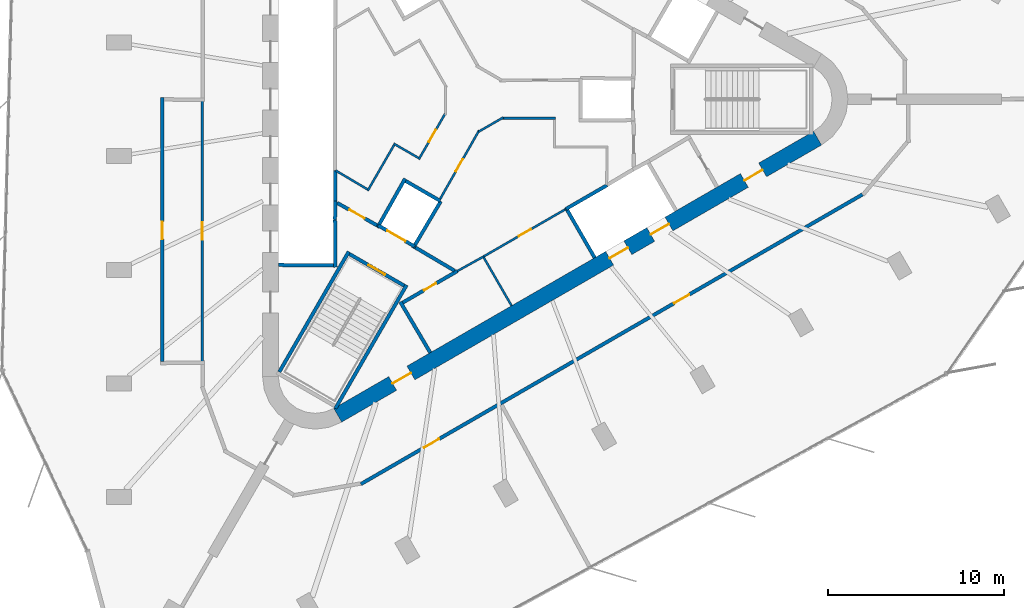
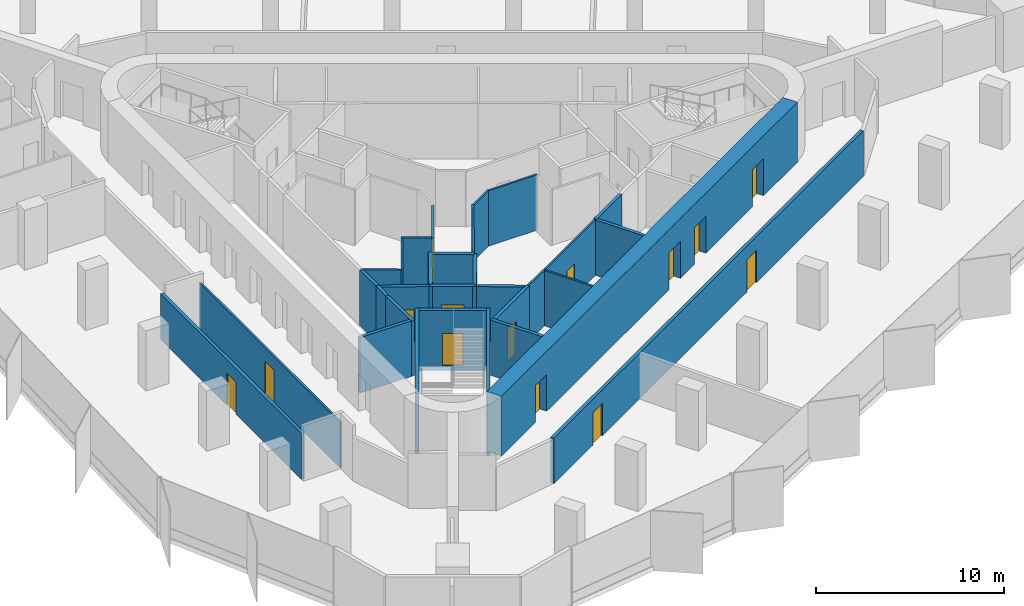
# One storey, part 8 of 13: 31 walls, 15 doors, 15 openings.
"""IFC4 building model written with IfcOpenShell, lengths in metres."""

from ifc_helpers import new_model, si_unit, direction, frame, frame_2d, origin, place, context, subcontext, project, spatial, rectangle, extrude, material, layer, layer_set, type_object, element, fill, save


model = new_model("IFC4")

# Units and contexts
model_context = context("Model", 3, precision=1e-05, world=origin(), true_north=direction((0.0, 1.0)))
body_context = subcontext(model_context, "Body", "Model", "MODEL_VIEW")
ifc_project = project(units=[si_unit("LENGTHUNIT", "METRE"), si_unit("AREAUNIT", "SQUARE_METRE"), si_unit("VOLUMEUNIT", "CUBIC_METRE"), si_unit("PLANEANGLEUNIT", "RADIAN"), si_unit("MASSUNIT", "GRAM", prefix="KILO")], contexts=[model_context])

# Site, building, storey
site_placement = place(None, origin())
site = spatial("IfcSite", under=ifc_project, at=site_placement, CompositionType="ELEMENT")
building_placement = place(site_placement, origin())
building = spatial("IfcBuilding", under=site, at=building_placement, Name="Tanit Gate Tower", CompositionType="ELEMENT")
storey_placement = place(building_placement, frame((0.0, 0.0, 329.89990234375)))
storey = spatial("IfcBuildingStorey", under=building, at=storey_placement, Name="L74", CompositionType="ELEMENT", Elevation=329.89990234375)

# Wall, openings, doors
ifc_material_1 = material(Name="Concrete C40/50", Category="concrete")
ifc_layer_1 = layer(ifc_material_1, 0.89990234375)
ifc_layer_set_1 = layer_set([ifc_layer_1], Name="CORE WALL 900 C40/50")
wall_type_1 = type_object("IfcWallType", Name="CORE WALL 900 C40/50", PredefinedType="SHEAR", material=ifc_layer_set_1)
wall_1_placement = place(storey_placement, frame((-7.824951171875, -17.969970703125, 0.0), z_axis=(0.0, 0.0, 1.0), x_axis=(0.866028369851, 0.499994862586, 0.0)))
wall_1 = element("IfcWall", 1, at=wall_1_placement, inside=storey, type_object=wall_type_1, Name="CORE WALL", PredefinedType="SHEAR", context=body_context, shape_type="SweptSolid", body=[
    extrude(rectangle(XDim=31.523193359375, YDim=0.89990234375, at=frame_2d((15.76171875, 0.0))), origin(), (0.0, 0.0, 1.0), 3.900146484375),
])
opening_1_placement = place(wall_1_placement, frame((17.861572265625, 0.0, 0.0)))
opening_1 = element("IfcOpeningElement", 2, at=opening_1_placement, cuts=wall_1, Name="Opening LDSV1-S20", PredefinedType="OPENING", context=body_context, shape_type="SweptSolid", body=[
    extrude(rectangle(XDim=1.199951171875, YDim=2.39990234375, at=frame_2d((0.60009765625, 1.199951171875))), frame((0.0, 0.4599609375, 0.0), z_axis=(0.0, -1.0, 0.0), x_axis=(1.0, 0.0, 0.0)), (0.0, 0.0, 1.0), 0.919921875),
])
opening_2_placement = place(wall_1_placement, frame((20.561767578125, 0.0, 0.0)))
opening_2 = element("IfcOpeningElement", 3, at=opening_2_placement, cuts=wall_1, Name="Opening LDSV2-S20", PredefinedType="OPENING", context=body_context, shape_type="SweptSolid", body=[
    extrude(rectangle(XDim=1.199951171875, YDim=2.39990234375, at=frame_2d((0.60009765625, 1.199951171875))), frame((0.0, 0.4599609375, 0.0), z_axis=(0.0, -1.0, 0.0), x_axis=(1.0, 0.0, 0.0)), (0.0, 0.0, 1.0), 0.919921875),
])
opening_3_placement = place(wall_1_placement, frame((26.711669921875, 0.0, 0.0)))
opening_3 = element("IfcOpeningElement", 4, at=opening_3_placement, cuts=wall_1, Name="Opening F12-S20-S1", PredefinedType="OPENING", context=body_context, shape_type="SweptSolid", body=[
    extrude(rectangle(XDim=1.199951171875, YDim=2.39990234375, at=frame_2d((0.60009765625, 1.199951171875))), frame((0.0, 0.4599609375, 0.0), z_axis=(0.0, -1.0, 0.0), x_axis=(1.0, 0.0, 0.0)), (0.0, 0.0, 1.0), 0.919921875),
])
opening_4_placement = place(wall_1_placement, frame((3.611572265625, 0.0, 0.0)))
opening_4 = element("IfcOpeningElement", 5, at=opening_4_placement, cuts=wall_1, Name="Opening F12-S20-FL3", PredefinedType="OPENING", context=body_context, shape_type="SweptSolid", body=[
    extrude(rectangle(XDim=1.199951171875, YDim=2.39990234375, at=frame_2d((0.60009765625, 1.199951171875))), frame((0.0, 0.4599609375, 0.0), z_axis=(0.0, -1.0, 0.0), x_axis=(1.0, 0.0, 0.0)), (0.0, 0.0, 1.0), 0.919921875),
])
ifc_material_2 = material(Name="Fire-rated steel door leaf", Category="steel")
door_type_1 = type_object("IfcDoorType", Name="INT-DOOR-FIRE-LOBBY-1200", OperationType="NOTDEFINED", PredefinedType="USERDEFINED", material=ifc_material_2)
door_1_placement = place(opening_3_placement, origin())
door_1 = element("IfcDoor", 6, at=door_1_placement, inside=storey, type_object=door_type_1, Name="Door F12-S20-S1", ObjectType="FIRE DOOR", OperationType="SINGLE_SWING_LEFT", OverallHeight=2.39990234375, OverallWidth=1.199951171875, PredefinedType="USERDEFINED", context=body_context, shape_type="SweptSolid", body=[
    extrude(rectangle(XDim=1.199951171875, YDim=2.39990234375, at=frame_2d((0.60009765625, 1.199951171875))), frame((0.0, 0.02490234375, 0.0), z_axis=(0.0, -1.0, 0.0), x_axis=(1.0, 0.0, 0.0)), (0.0, 0.0, 1.0), 0.050048828125),
])
fill(opening_3, door_1)
door_2_placement = place(opening_4_placement, origin())
door_2 = element("IfcDoor", 7, at=door_2_placement, inside=storey, type_object=door_type_1, Name="Door F12-S20-FL3", ObjectType="FIRE DOOR", OperationType="SINGLE_SWING_LEFT", OverallHeight=2.39990234375, OverallWidth=1.199951171875, PredefinedType="USERDEFINED", context=body_context, shape_type="SweptSolid", body=[
    extrude(rectangle(XDim=1.199951171875, YDim=2.39990234375, at=frame_2d((0.60009765625, 1.199951171875))), frame((0.0, 0.02490234375, 0.0), z_axis=(0.0, -1.0, 0.0), x_axis=(1.0, 0.0, 0.0)), (0.0, 0.0, 1.0), 0.050048828125),
])
fill(opening_4, door_2)
ifc_material_3 = material(Name="Stainless steel sliding door leaf", Category="steel")
door_type_2 = type_object("IfcDoorType", Name="INT-DOOR-LANDING-1200", OperationType="NOTDEFINED", PredefinedType="USERDEFINED", material=ifc_material_3)
door_3_placement = place(opening_1_placement, origin())
door_3 = element("IfcDoor", 8, at=door_3_placement, inside=storey, type_object=door_type_2, Name="Door LDSV1-S20", ObjectType="LANDING DOOR", OperationType="SLIDING_TO_LEFT", OverallHeight=2.39990234375, OverallWidth=1.199951171875, PredefinedType="USERDEFINED", context=body_context, shape_type="SweptSolid", body=[
    extrude(rectangle(XDim=1.199951171875, YDim=2.39990234375, at=frame_2d((0.60009765625, 1.199951171875))), frame((0.0, 0.02490234375, 0.0), z_axis=(0.0, -1.0, 0.0), x_axis=(1.0, 0.0, 0.0)), (0.0, 0.0, 1.0), 0.050048828125),
])
fill(opening_1, door_3)
door_4_placement = place(opening_2_placement, origin())
door_4 = element("IfcDoor", 9, at=door_4_placement, inside=storey, type_object=door_type_2, Name="Door LDSV2-S20", ObjectType="LANDING DOOR", OperationType="SLIDING_TO_LEFT", OverallHeight=2.39990234375, OverallWidth=1.199951171875, PredefinedType="USERDEFINED", context=body_context, shape_type="SweptSolid", body=[
    extrude(rectangle(XDim=1.199951171875, YDim=2.39990234375, at=frame_2d((0.60009765625, 1.199951171875))), frame((0.0, 0.02490234375, 0.0), z_axis=(0.0, -1.0, 0.0), x_axis=(1.0, 0.0, 0.0)), (0.0, 0.0, 1.0), 0.050048828125),
])
fill(opening_2, door_4)

# Wall
ifc_material_4 = material(Name="Fire-rated gypsum board partition")
ifc_layer_2 = layer(ifc_material_4, 0.199951171875)
ifc_layer_set_2 = layer_set([ifc_layer_2], Name="INT-WALL-COMPARTMENT")
wall_type_2 = type_object("IfcWallType", Name="INT-WALL-COMPARTMENT", PredefinedType="PARTITIONING", material=ifc_layer_set_2)
wall_2_placement = place(storey_placement, frame((-4.259765625, -11.523681640625, 0.0), z_axis=(0.0, 0.0, 1.0), x_axis=(0.507997497166, -0.861358544901, 0.0)))
element("IfcWall", 10, at=wall_2_placement, inside=storey, type_object=wall_type_2, Name="Wall Compartment W053", PredefinedType="PARTITIONING", context=body_context, shape_type="SweptSolid", body=[
    extrude(rectangle(XDim=3.350341796875, YDim=0.199951171875, at=frame_2d((1.67529296875, 0.0))), origin(), (0.0, 0.0, 1.0), 3.60009765625),
])

# Wall, opening, door
wall_3_placement = place(storey_placement, frame((-1.02392578125, -9.77099609375, 0.0), z_axis=(0.0, 0.0, 1.0), x_axis=(-0.866029903013, -0.499992207027, 0.0)))
wall_3 = element("IfcWall", 11, at=wall_3_placement, inside=storey, type_object=wall_type_2, Name="Wall Compartment W054", PredefinedType="PARTITIONING", context=body_context, shape_type="SweptSolid", body=[
    extrude(rectangle(XDim=3.57763671875, YDim=0.199951171875, at=frame_2d((1.788818359375, 0.0))), origin(), (0.0, 0.0, 1.0), 3.60009765625),
])
opening_5_placement = place(wall_3_placement, frame((1.388916015625, 0.0, 0.0)))
opening_5 = element("IfcOpeningElement", 12, at=opening_5_placement, cuts=wall_3, Name="Opening R08-S20-15", PredefinedType="OPENING", context=body_context, shape_type="SweptSolid", body=[
    extrude(rectangle(XDim=0.800048828125, YDim=2.10009765625, at=frame_2d((0.39990234375, 1.050048828125))), frame((0.0, 0.10986328125, 0.0), z_axis=(0.0, -1.0, 0.0), x_axis=(1.0, 0.0, 0.0)), (0.0, 0.0, 1.0), 0.219970703125),
])
ifc_material_5 = material(Name="Timber door leaf", Category="wood")
door_type_3 = type_object("IfcDoorType", Name="INT-DOOR-RISER-800", OperationType="NOTDEFINED", PredefinedType="USERDEFINED", material=ifc_material_5)
door_5_placement = place(opening_5_placement, origin())
door_5 = element("IfcDoor", 13, at=door_5_placement, inside=storey, type_object=door_type_3, Name="Door R08-S20-15", ObjectType="FIRE DOOR", OperationType="SINGLE_SWING_RIGHT", OverallHeight=2.10009765625, OverallWidth=0.800048828125, PredefinedType="USERDEFINED", context=body_context, shape_type="SweptSolid", body=[
    extrude(rectangle(XDim=0.800048828125, YDim=2.10009765625, at=frame_2d((0.39990234375, 1.050048828125))), frame((0.0, 0.02490234375, 0.0), z_axis=(0.0, -1.0, 0.0), x_axis=(1.0, 0.0, 0.0)), (0.0, 0.0, 1.0), 0.050048828125),
])
fill(opening_5, door_5)

# Wall
wall_4_placement = place(storey_placement, frame((-3.400634765625, -8.43017578125, 0.0), z_axis=(0.0, 0.0, 1.0), x_axis=(0.860630814782, -0.509229418482, 0.0)))
element("IfcWall", 14, at=wall_4_placement, inside=storey, type_object=wall_type_2, Name="Wall Compartment W063", PredefinedType="PARTITIONING", context=body_context, shape_type="SweptSolid", body=[
    extrude(rectangle(XDim=2.581787109375, YDim=0.199951171875, at=frame_2d((1.291015625, 0.0))), origin(), (0.0, 0.0, 1.0), 3.60009765625),
])

# Wall, opening, door
wall_5_placement = place(storey_placement, frame((-7.849365234375, -5.893798828125, 0.0), z_axis=(0.0, 0.0, 1.0), x_axis=(0.871363259478, -0.490638431059, 0.0)))
wall_5 = element("IfcWall", 15, at=wall_5_placement, inside=storey, type_object=wall_type_2, Name="Wall Compartment W064", PredefinedType="PARTITIONING", context=body_context, shape_type="SweptSolid", body=[
    extrude(rectangle(XDim=2.5810546875, YDim=0.199951171875, at=frame_2d((1.29052734375, 0.0))), origin(), (0.0, 0.0, 1.0), 3.60009765625),
])
opening_6_placement = place(wall_5_placement, frame((0.79052734375, 0.0, 0.0)))
opening_6 = element("IfcOpeningElement", 16, at=opening_6_placement, cuts=wall_5, Name="Opening F10-S20-08", PredefinedType="OPENING", context=body_context, shape_type="SweptSolid", body=[
    extrude(rectangle(XDim=1.0, YDim=2.10009765625, at=frame_2d((0.5, 1.050048828125))), frame((0.0, 0.10986328125, 0.0), z_axis=(0.0, -1.0, 0.0), x_axis=(1.0, 0.0, 0.0)), (0.0, 0.0, 1.0), 0.219970703125),
])
ifc_material_6 = material(Name="Fire-rated steel door leaf", Category="steel")
door_type_4 = type_object("IfcDoorType", Name="INT-DOOR-FIRE-1000", OperationType="NOTDEFINED", PredefinedType="USERDEFINED", material=ifc_material_6)
door_6_placement = place(opening_6_placement, origin())
door_6 = element("IfcDoor", 17, at=door_6_placement, inside=storey, type_object=door_type_4, Name="Door F10-S20-08", ObjectType="FIRE DOOR", OperationType="SINGLE_SWING_LEFT", OverallHeight=2.10009765625, OverallWidth=1.0, PredefinedType="USERDEFINED", context=body_context, shape_type="SweptSolid", body=[
    extrude(rectangle(XDim=1.0, YDim=2.10009765625, at=frame_2d((0.5, 1.050048828125))), frame((0.0, 0.02490234375, 0.0), z_axis=(0.0, -1.0, 0.0), x_axis=(1.0, 0.0, 0.0)), (0.0, 0.0, 1.0), 0.050048828125),
])
fill(opening_6, door_6)

wall_6_placement = place(storey_placement, frame((-17.800048828125, 0.10009765625, 0.0), z_axis=(0.0, 0.0, 1.0), x_axis=(0.0, -1.0, 0.0)))
wall_6 = element("IfcWall", 18, at=wall_6_placement, inside=storey, type_object=wall_type_2, Name="Wall Compartment W085", PredefinedType="PARTITIONING", context=body_context, shape_type="SweptSolid", body=[
    extrude(rectangle(XDim=15.0, YDim=0.199951171875, at=frame_2d((7.5, 0.0))), origin(), (0.0, 0.0, 1.0), 2.97021484375),
])
opening_7_placement = place(wall_6_placement, frame((7.050048828125, 0.0, 0.0)))
opening_7 = element("IfcOpeningElement", 19, at=opening_7_placement, cuts=wall_6, Name="Opening F10-S20-23", PredefinedType="OPENING", context=body_context, shape_type="SweptSolid", body=[
    extrude(rectangle(XDim=1.0, YDim=2.10009765625, at=frame_2d((0.5, 1.050048828125))), frame((0.0, 0.10986328125, 0.0), z_axis=(0.0, -1.0, 0.0), x_axis=(1.0, 0.0, 0.0)), (0.0, 0.0, 1.0), 0.219970703125),
])
door_7_placement = place(opening_7_placement, origin())
door_7 = element("IfcDoor", 20, at=door_7_placement, inside=storey, type_object=door_type_4, Name="Door F10-S20-23", ObjectType="FIRE DOOR", OperationType="SINGLE_SWING_RIGHT", OverallHeight=2.10009765625, OverallWidth=1.0, PredefinedType="USERDEFINED", context=body_context, shape_type="SweptSolid", body=[
    extrude(rectangle(XDim=1.0, YDim=2.10009765625, at=frame_2d((0.5, 1.050048828125))), frame((0.0, 0.02490234375, 0.0), z_axis=(0.0, -1.0, 0.0), x_axis=(1.0, 0.0, 0.0)), (0.0, 0.0, 1.0), 0.050048828125),
])
fill(opening_7, door_7)

# Wall, openings, doors
wall_7_placement = place(storey_placement, frame((-6.505126953125, -21.884521484375, 0.0), z_axis=(0.0, 0.0, 1.0), x_axis=(0.86602457258, 0.500001439686, 0.0)))
wall_7 = element("IfcWall", 21, at=wall_7_placement, inside=storey, type_object=wall_type_2, Name="Wall Compartment W105", PredefinedType="PARTITIONING", context=body_context, shape_type="SweptSolid", body=[
    extrude(rectangle(XDim=32.95166015625, YDim=0.199951171875, at=frame_2d((16.475830078125, 0.0))), origin(), (0.0, 0.0, 1.0), 2.97021484375),
])
opening_8_placement = place(wall_7_placement, frame((20.569091796875, 0.0, 0.0)))
opening_8 = element("IfcOpeningElement", 22, at=opening_8_placement, cuts=wall_7, Name="Opening F10-S20-27", PredefinedType="OPENING", context=body_context, shape_type="SweptSolid", body=[
    extrude(rectangle(XDim=1.0, YDim=2.10009765625, at=frame_2d((0.5, 1.050048828125))), frame((0.0, 0.10986328125, 0.0), z_axis=(0.0, -1.0, 0.0), x_axis=(1.0, 0.0, 0.0)), (0.0, 0.0, 1.0), 0.219970703125),
])
opening_9_placement = place(wall_7_placement, frame((4.143310546875, 0.0, 0.0)))
opening_9 = element("IfcOpeningElement", 23, at=opening_9_placement, cuts=wall_7, Name="Opening F10-S20-28", PredefinedType="OPENING", context=body_context, shape_type="SweptSolid", body=[
    extrude(rectangle(XDim=1.0, YDim=2.10009765625, at=frame_2d((0.5, 1.050048828125))), frame((0.0, 0.10986328125, 0.0), z_axis=(0.0, -1.0, 0.0), x_axis=(1.0, 0.0, 0.0)), (0.0, 0.0, 1.0), 0.219970703125),
])
door_8_placement = place(opening_8_placement, origin())
door_8 = element("IfcDoor", 24, at=door_8_placement, inside=storey, type_object=door_type_4, Name="Door F10-S20-27", ObjectType="FIRE DOOR", OperationType="SINGLE_SWING_RIGHT", OverallHeight=2.10009765625, OverallWidth=1.0, PredefinedType="USERDEFINED", context=body_context, shape_type="SweptSolid", body=[
    extrude(rectangle(XDim=1.0, YDim=2.10009765625, at=frame_2d((0.5, 1.050048828125))), frame((0.0, 0.02490234375, 0.0), z_axis=(0.0, -1.0, 0.0), x_axis=(1.0, 0.0, 0.0)), (0.0, 0.0, 1.0), 0.050048828125),
])
fill(opening_8, door_8)
door_9_placement = place(opening_9_placement, origin())
door_9 = element("IfcDoor", 25, at=door_9_placement, inside=storey, type_object=door_type_4, Name="Door F10-S20-28", ObjectType="FIRE DOOR", OperationType="SINGLE_SWING_LEFT", OverallHeight=2.10009765625, OverallWidth=1.0, PredefinedType="USERDEFINED", context=body_context, shape_type="SweptSolid", body=[
    extrude(rectangle(XDim=1.0, YDim=2.10009765625, at=frame_2d((0.5, 1.050048828125))), frame((0.0, 0.02490234375, 0.0), z_axis=(0.0, -1.0, 0.0), x_axis=(1.0, 0.0, 0.0)), (0.0, 0.0, 1.0), 0.050048828125),
])
fill(opening_9, door_9)

# Walls
ifc_material_7 = material(Name="Gypsum board partition")
ifc_layer_3 = layer(ifc_material_7, 0.1201171875)
ifc_layer_set_3 = layer_set([ifc_layer_3], Name="INT-WALL-PARTITION")
wall_type_3 = type_object("IfcWallType", Name="INT-WALL-PARTITION", PredefinedType="PARTITIONING", material=ifc_layer_set_3)
wall_8_placement = place(storey_placement, frame((2.066650390625, -11.739501953125, 0.0), z_axis=(0.0, 0.0, 1.0), x_axis=(-0.499984717929, 0.866034226713, 0.0)))
element("IfcWall", 26, at=wall_8_placement, inside=storey, type_object=wall_type_3, Name="Wall Partition W052", PredefinedType="PARTITIONING", context=body_context, shape_type="SweptSolid", body=[
    extrude(rectangle(XDim=3.25, YDim=0.1201171875, at=frame_2d((1.625, 0.0))), origin(), (0.0, 0.0, 1.0), 3.60009765625),
])
wall_9_placement = place(storey_placement, frame((-1.0234375, -9.77197265625, 0.0), z_axis=(0.0, 0.0, 1.0), x_axis=(0.874290944206, 0.485402250592, 0.0)))
element("IfcWall", 27, at=wall_9_placement, inside=storey, type_object=wall_type_3, Name="Wall Partition W055", PredefinedType="PARTITIONING", context=body_context, shape_type="SweptSolid", body=[
    extrude(rectangle(XDim=1.72265625, YDim=0.1201171875, at=frame_2d((0.861328125, 0.0))), origin(), (0.0, 0.0, 1.0), 3.60009765625),
])

# Wall, opening, door
wall_10_placement = place(storey_placement, frame((0.482666015625, -8.935791015625, 0.0), z_axis=(0.0, 0.0, 1.0), x_axis=(0.866028230842, 0.499995103361, 0.0)))
wall_10 = element("IfcWall", 28, at=wall_10_placement, inside=storey, type_object=wall_type_3, Name="Wall Partition W056", PredefinedType="PARTITIONING", context=body_context, shape_type="SweptSolid", body=[
    extrude(rectangle(XDim=5.39990234375, YDim=0.1201171875, at=frame_2d((2.699951171875, 0.0))), origin(), (0.0, 0.0, 1.0), 3.60009765625),
])
opening_10_placement = place(wall_10_placement, frame((2.300048828125, 0.0, 0.0)))
opening_10 = element("IfcOpeningElement", 29, at=opening_10_placement, cuts=wall_10, Name="Opening R08-S20-16", PredefinedType="OPENING", context=body_context, shape_type="SweptSolid", body=[
    extrude(rectangle(XDim=0.800048828125, YDim=2.10009765625, at=frame_2d((0.39990234375, 1.050048828125))), frame((0.0, 0.070068359375, 0.0), z_axis=(0.0, -1.0, 0.0), x_axis=(1.0, 0.0, 0.0)), (0.0, 0.0, 1.0), 0.14013671875),
])
door_10_placement = place(opening_10_placement, origin())
door_10 = element("IfcDoor", 30, at=door_10_placement, inside=storey, type_object=door_type_3, Name="Door R08-S20-16", ObjectType="FIRE DOOR", OperationType="SINGLE_SWING_RIGHT", OverallHeight=2.10009765625, OverallWidth=0.800048828125, PredefinedType="USERDEFINED", context=body_context, shape_type="SweptSolid", body=[
    extrude(rectangle(XDim=0.800048828125, YDim=2.10009765625, at=frame_2d((0.39990234375, 1.050048828125))), frame((0.0, 0.02490234375, 0.0), z_axis=(0.0, -1.0, 0.0), x_axis=(1.0, 0.0, 0.0)), (0.0, 0.0, 1.0), 0.050048828125),
])
fill(opening_10, door_10)

wall_11_placement = place(storey_placement, frame((0.223876953125, -1.760986328125, 0.0), z_axis=(0.0, 0.0, 1.0), x_axis=(-0.494327216836, -0.869275907118, 0.0)))
wall_11 = element("IfcWall", 31, at=wall_11_placement, inside=storey, type_object=wall_type_3, Name="Wall Partition W068", PredefinedType="PARTITIONING", context=body_context, shape_type="SweptSolid", body=[
    extrude(rectangle(XDim=4.487060546875, YDim=0.1201171875, at=frame_2d((2.24365234375, 0.0))), origin(), (0.0, 0.0, 1.0), 3.60009765625),
])
opening_11_placement = place(wall_11_placement, frame((1.89453125, 0.0, 0.0)))
opening_11 = element("IfcOpeningElement", 32, at=opening_11_placement, cuts=wall_11, Name="Opening R08-S20-11", PredefinedType="OPENING", context=body_context, shape_type="SweptSolid", body=[
    extrude(rectangle(XDim=0.800048828125, YDim=2.10009765625, at=frame_2d((0.39990234375, 1.050048828125))), frame((0.0, 0.070068359375, 0.0), z_axis=(0.0, -1.0, 0.0), x_axis=(1.0, 0.0, 0.0)), (0.0, 0.0, 1.0), 0.14013671875),
])
door_11_placement = place(opening_11_placement, origin())
door_11 = element("IfcDoor", 33, at=door_11_placement, inside=storey, type_object=door_type_3, Name="Door R08-S20-11", ObjectType="FIRE DOOR", OperationType="SINGLE_SWING_LEFT", OverallHeight=2.10009765625, OverallWidth=0.800048828125, PredefinedType="USERDEFINED", context=body_context, shape_type="SweptSolid", body=[
    extrude(rectangle(XDim=0.800048828125, YDim=2.10009765625, at=frame_2d((0.39990234375, 1.050048828125))), frame((0.0, 0.02490234375, 0.0), z_axis=(0.0, -1.0, 0.0), x_axis=(1.0, 0.0, 0.0)), (0.0, 0.0, 1.0), 0.050048828125),
])
fill(opening_11, door_11)

# Walls
wall_12_placement = place(storey_placement, frame((1.60546875, -1.02294921875, 0.0), z_axis=(0.0, 0.0, 1.0), x_axis=(-0.866001581989, -0.50004125829, 0.0)))
element("IfcWall", 34, at=wall_12_placement, inside=storey, type_object=wall_type_3, Name="Wall Partition W069", PredefinedType="PARTITIONING", context=body_context, shape_type="SweptSolid", body=[
    extrude(rectangle(XDim=1.635009765625, YDim=0.1201171875, at=frame_2d((0.8173828125, 0.0))), origin(), (0.0, 0.0, 1.0), 3.60009765625),
])
wall_13_placement = place(storey_placement, frame((4.56005859375, -1.074951171875, 0.0), z_axis=(0.0, 0.0, 1.0), x_axis=(-1.0, 0.0, 0.0)))
element("IfcWall", 35, at=wall_13_placement, inside=storey, type_object=wall_type_3, Name="Wall Partition W070", PredefinedType="PARTITIONING", context=body_context, shape_type="SweptSolid", body=[
    extrude(rectangle(XDim=3.02587890625, YDim=0.1201171875, at=frame_2d((1.512939453125, 0.0))), origin(), (0.0, 0.0, 1.0), 3.60009765625),
])

# Wall, opening, door
wall_14_placement = place(storey_placement, frame((-3.2109375, -3.41162109375, 0.0), z_axis=(0.0, 0.0, 1.0), x_axis=(0.499983190554, 0.866035108505, 0.0)))
wall_14 = element("IfcWall", 36, at=wall_14_placement, inside=storey, type_object=wall_type_3, Name="Wall Partition W079", PredefinedType="PARTITIONING", context=body_context, shape_type="SweptSolid", body=[
    extrude(rectangle(XDim=3.02587890625, YDim=0.1201171875, at=frame_2d((1.512939453125, 0.0))), origin(), (0.0, 0.0, 1.0), 3.60009765625),
])
opening_12_placement = place(wall_14_placement, frame((1.142822265625, 0.0, 0.0)))
opening_12 = element("IfcOpeningElement", 37, at=opening_12_placement, cuts=wall_14, Name="Opening R08-S20-12", PredefinedType="OPENING", context=body_context, shape_type="SweptSolid", body=[
    extrude(rectangle(XDim=0.800048828125, YDim=2.10009765625, at=frame_2d((0.39990234375, 1.050048828125))), frame((0.0, 0.070068359375, 0.0), z_axis=(0.0, -1.0, 0.0), x_axis=(1.0, 0.0, 0.0)), (0.0, 0.0, 1.0), 0.14013671875),
])
door_12_placement = place(opening_12_placement, origin())
door_12 = element("IfcDoor", 38, at=door_12_placement, inside=storey, type_object=door_type_3, Name="Door R08-S20-12", ObjectType="FIRE DOOR", OperationType="SINGLE_SWING_LEFT", OverallHeight=2.10009765625, OverallWidth=0.800048828125, PredefinedType="USERDEFINED", context=body_context, shape_type="SweptSolid", body=[
    extrude(rectangle(XDim=0.800048828125, YDim=2.10009765625, at=frame_2d((0.39990234375, 1.050048828125))), frame((0.0, 0.02490234375, 0.0), z_axis=(0.0, -1.0, 0.0), x_axis=(1.0, 0.0, 0.0)), (0.0, 0.0, 1.0), 0.050048828125),
])
fill(opening_12, door_12)

# Walls
wall_15_placement = place(storey_placement, frame((-4.64013671875, -2.51708984375, 0.0), z_axis=(0.0, 0.0, 1.0), x_axis=(0.866015446554, -0.500017246033, 0.0)))
element("IfcWall", 39, at=wall_15_placement, inside=storey, type_object=wall_type_3, Name="Wall Partition W080", PredefinedType="PARTITIONING", context=body_context, shape_type="SweptSolid", body=[
    extrude(rectangle(XDim=1.625, YDim=0.1201171875, at=frame_2d((0.8125, 0.0))), origin(), (0.0, 0.0, 1.0), 3.60009765625),
])
wall_16_placement = place(storey_placement, frame((-6.1181640625, -5.197265625, 0.0), z_axis=(0.0, 0.0, 1.0), x_axis=(0.499990139034, 0.866031096941, 0.0)))
element("IfcWall", 40, at=wall_16_placement, inside=storey, type_object=wall_type_3, Name="Wall Partition W081", PredefinedType="PARTITIONING", context=body_context, shape_type="SweptSolid", body=[
    extrude(rectangle(XDim=3.0, YDim=0.1201171875, at=frame_2d((1.5, 0.0))), origin(), (0.0, 0.0, 1.0), 3.60009765625),
])
wall_17_placement = place(storey_placement, frame((-7.949951171875, -4.041015625, 0.0), z_axis=(0.0, 0.0, 1.0), x_axis=(0.860112457103, -0.510104461004, 0.0)))
element("IfcWall", 41, at=wall_17_placement, inside=storey, type_object=wall_type_3, Name="Wall Partition W082", PredefinedType="PARTITIONING", context=body_context, shape_type="SweptSolid", body=[
    extrude(rectangle(XDim=2.1044921875, YDim=0.1201171875, at=frame_2d((1.05224609375, 0.0))), origin(), (0.0, 0.0, 1.0), 3.60009765625),
])

# Wall, opening, door
wall_18_placement = place(storey_placement, frame((-15.530029296875, 0.0, 0.0), z_axis=(0.0, 0.0, 1.0), x_axis=(0.0, -1.0, 0.0)))
wall_18 = element("IfcWall", 42, at=wall_18_placement, inside=storey, type_object=wall_type_3, Name="Wall Partition W083", PredefinedType="PARTITIONING", context=body_context, shape_type="SweptSolid", body=[
    extrude(rectangle(XDim=15.0, YDim=0.1201171875, at=frame_2d((7.5, 0.0))), origin(), (0.0, 0.0, 1.0), 2.97021484375),
])
opening_13_placement = place(wall_18_placement, frame((7.0, 0.0, 0.0)))
opening_13 = element("IfcOpeningElement", 43, at=opening_13_placement, cuts=wall_18, Name="Opening D10-S20-18", PredefinedType="OPENING", context=body_context, shape_type="SweptSolid", body=[
    extrude(rectangle(XDim=1.0, YDim=2.10009765625, at=frame_2d((0.5, 1.050048828125))), frame((0.0, 0.070068359375, 0.0), z_axis=(0.0, -1.0, 0.0), x_axis=(1.0, 0.0, 0.0)), (0.0, 0.0, 1.0), 0.14013671875),
])
ifc_material_8 = material(Name="Timber door leaf", Category="wood")
door_type_5 = type_object("IfcDoorType", Name="INT-DOOR-SINGLE-1000", OperationType="NOTDEFINED", PredefinedType="NOTDEFINED", material=ifc_material_8)
door_13_placement = place(opening_13_placement, origin())
door_13 = element("IfcDoor", 44, at=door_13_placement, inside=storey, type_object=door_type_5, Name="Door D10-S20-18", OperationType="SINGLE_SWING_RIGHT", OverallHeight=2.10009765625, OverallWidth=1.0, PredefinedType="NOTDEFINED", context=body_context, shape_type="SweptSolid", body=[
    extrude(rectangle(XDim=1.0, YDim=2.10009765625, at=frame_2d((0.5, 1.050048828125))), frame((0.0, 0.02490234375, 0.0), z_axis=(0.0, -1.0, 0.0), x_axis=(1.0, 0.0, 0.0)), (0.0, 0.0, 1.0), 0.050048828125),
])
fill(opening_13, door_13)

# Walls
ifc_material_9 = material(Name="Gypsum shaft wall system")
ifc_layer_4 = layer(ifc_material_9, 0.199951171875)
ifc_layer_set_4 = layer_set([ifc_layer_4], Name="INT-WALL-SHAFT")
wall_type_4 = type_object("IfcWallType", Name="INT-WALL-SHAFT", PredefinedType="PLUMBINGWALL", material=ifc_layer_set_4)
wall_19_placement = place(storey_placement, frame((-7.949951171875, -5.7724609375, 0.0), z_axis=(0.0, 0.0, 1.0), x_axis=(-0.030803413295, -0.999525462272, 0.0)))
element("IfcWall", 45, at=wall_19_placement, inside=storey, type_object=wall_type_4, Name="Wall Shaft W008", PredefinedType="PLUMBINGWALL", context=body_context, shape_type="SweptSolid", body=[
    extrude(rectangle(XDim=1.077880859375, YDim=0.199951171875, at=frame_2d((0.5390625, 0.0))), origin(), (0.0, 0.0, 1.0), 3.60009765625),
])
wall_20_placement = place(storey_placement, frame((-7.971435546875, -4.050048828125, 0.0), z_axis=(0.0, 0.0, 1.0), x_axis=(0.012042535896, -0.999927486035, 0.0)))
element("IfcWall", 46, at=wall_20_placement, inside=storey, type_object=wall_type_4, Name="Wall Shaft W009", PredefinedType="PLUMBINGWALL", context=body_context, shape_type="SweptSolid", body=[
    extrude(rectangle(XDim=1.844970703125, YDim=0.199951171875, at=frame_2d((0.92236328125, 0.0))), origin(), (0.0, 0.0, 1.0), 3.60009765625),
])
wall_21_placement = place(storey_placement, frame((-7.97900390625, -6.85009765625, 0.0), z_axis=(0.0, 0.0, 1.0), x_axis=(0.011121475088, -0.999938154483, 0.0)))
element("IfcWall", 47, at=wall_21_placement, inside=storey, type_object=wall_type_4, Name="Wall Shaft W010", PredefinedType="PLUMBINGWALL", context=body_context, shape_type="SweptSolid", body=[
    extrude(rectangle(XDim=2.7001953125, YDim=0.199951171875, at=frame_2d((1.35009765625, 0.0))), origin(), (0.0, 0.0, 1.0), 3.60009765625),
])
wall_22_placement = place(storey_placement, frame((-8.050048828125, -9.448974609375, 0.0), z_axis=(0.0, 0.0, 1.0), x_axis=(-0.999957467379, 0.009222983926, 0.0)))
element("IfcWall", 48, at=wall_22_placement, inside=storey, type_object=wall_type_4, Name="Wall Shaft W011", PredefinedType="PLUMBINGWALL", context=body_context, shape_type="SweptSolid", body=[
    extrude(rectangle(XDim=3.150146484375, YDim=0.199951171875, at=frame_2d((1.5751953125, 0.0))), origin(), (0.0, 0.0, 1.0), 3.60009765625),
])
wall_23_placement = place(storey_placement, frame((6.795166015625, -9.009521484375, 0.0), z_axis=(0.0, 0.0, 1.0), x_axis=(-0.499984717929, 0.866034226713, 0.0)))
element("IfcWall", 49, at=wall_23_placement, inside=storey, type_object=wall_type_4, Name="Wall Shaft W015", PredefinedType="PLUMBINGWALL", context=body_context, shape_type="SweptSolid", body=[
    extrude(rectangle(XDim=3.25, YDim=0.199951171875, at=frame_2d((1.625, 0.0))), origin(), (0.0, 0.0, 1.0), 3.60009765625),
])
wall_24_placement = place(storey_placement, frame((5.1591796875, -6.23583984375, 0.0), z_axis=(0.0, 0.0, 1.0), x_axis=(0.866036505625, 0.499980770555, 0.0)))
element("IfcWall", 50, at=wall_24_placement, inside=storey, type_object=wall_type_4, Name="Wall Shaft W016", PredefinedType="PLUMBINGWALL", context=body_context, shape_type="SweptSolid", body=[
    extrude(rectangle(XDim=2.69970703125, YDim=0.199951171875, at=frame_2d((1.349853515625, 0.0))), origin(), (0.0, 0.0, 1.0), 3.60009765625),
])

# Wall, opening, door
wall_25_placement = place(storey_placement, frame((-3.44580078125, -8.3681640625, 0.0), z_axis=(0.0, 0.0, 1.0), x_axis=(-0.866024647952, 0.500001309137, 0.0)))
wall_25 = element("IfcWall", 51, at=wall_25_placement, inside=storey, type_object=wall_type_4, Name="Wall Shaft W040", PredefinedType="PLUMBINGWALL", context=body_context, shape_type="SweptSolid", body=[
    extrude(rectangle(XDim=2.39990234375, YDim=0.199951171875, at=frame_2d((1.199951171875, 0.0))), origin(), (0.0, 0.0, 1.0), 3.60009765625),
])
opening_14_placement = place(wall_25_placement, frame((0.60009765625, 0.0, 0.0)))
opening_14 = element("IfcOpeningElement", 52, at=opening_14_placement, cuts=wall_25, Name="Opening LDFL3-L74", PredefinedType="OPENING", context=body_context, shape_type="SweptSolid", body=[
    extrude(rectangle(XDim=1.199951171875, YDim=2.39990234375, at=frame_2d((0.60009765625, 1.199951171875))), frame((0.0, 0.10986328125, 0.0), z_axis=(0.0, -1.0, 0.0), x_axis=(1.0, 0.0, 0.0)), (0.0, 0.0, 1.0), 0.219970703125),
])
door_14_placement = place(opening_14_placement, origin())
door_14 = element("IfcDoor", 53, at=door_14_placement, inside=storey, type_object=door_type_2, Name="Door LDFL3-L74", ObjectType="LANDING DOOR", OperationType="SLIDING_TO_LEFT", OverallHeight=2.39990234375, OverallWidth=1.199951171875, PredefinedType="USERDEFINED", context=body_context, shape_type="SweptSolid", body=[
    extrude(rectangle(XDim=1.199951171875, YDim=2.39990234375, at=frame_2d((0.60009765625, 1.199951171875))), frame((0.0, 0.02490234375, 0.0), z_axis=(0.0, -1.0, 0.0), x_axis=(1.0, 0.0, 0.0)), (0.0, 0.0, 1.0), 0.050048828125),
])
fill(opening_14, door_14)

# Walls
wall_26_placement = place(storey_placement, frame((-1.960693359375, -5.796142578125, 0.0), z_axis=(0.0, 0.0, 1.0), x_axis=(-0.508647062354, -0.860975125052, 0.0)))
element("IfcWall", 54, at=wall_26_placement, inside=storey, type_object=wall_type_4, Name="Wall Shaft W041", PredefinedType="PLUMBINGWALL", context=body_context, shape_type="SweptSolid", body=[
    extrude(rectangle(XDim=3.10009765625, YDim=0.199951171875, at=frame_2d((1.550048828125, 0.0))), origin(), (0.0, 0.0, 1.0), 3.60009765625),
])
wall_27_placement = place(storey_placement, frame((-3.989990234375, -4.509033203125, 0.0), z_axis=(0.0, 0.0, 1.0), x_axis=(-0.491358283181, -0.870957540612, 0.0)))
element("IfcWall", 55, at=wall_27_placement, inside=storey, type_object=wall_type_4, Name="Wall Shaft W042", PredefinedType="PLUMBINGWALL", context=body_context, shape_type="SweptSolid", body=[
    extrude(rectangle(XDim=3.200439453125, YDim=0.199951171875, at=frame_2d((1.60009765625, 0.0))), origin(), (0.0, 0.0, 1.0), 3.60009765625),
])
wall_28_placement = place(storey_placement, frame((-3.95263671875, -4.646240234375, 0.0), z_axis=(0.0, 0.0, 1.0), x_axis=(0.866065302921, -0.4999308863, 0.0)))
element("IfcWall", 56, at=wall_28_placement, inside=storey, type_object=wall_type_4, Name="Wall Shaft W043", PredefinedType="PLUMBINGWALL", context=body_context, shape_type="SweptSolid", body=[
    extrude(rectangle(XDim=2.264404296875, YDim=0.199951171875, at=frame_2d((1.13232421875, 0.0))), origin(), (0.0, 0.0, 1.0), 3.60009765625),
])
ifc_material_10 = material(Name="Concrete C40/50", Category="concrete")
ifc_layer_5 = layer(ifc_material_10, 0.199951171875)
ifc_layer_set_5 = layer_set([ifc_layer_5], Name="INT-WALL-STAIR")
wall_type_5 = type_object("IfcWallType", Name="INT-WALL-STAIR", PredefinedType="SHEAR", material=ifc_layer_set_5)
wall_29_placement = place(storey_placement, frame((-3.904541015625, -10.56298828125, -0.2998046875), z_axis=(0.0, 0.0, 1.0), x_axis=(-0.500012932018, -0.866017937352, 0.0)))
element("IfcWall", 57, at=wall_29_placement, inside=storey, type_object=wall_type_5, Name="Wall Stair W036", PredefinedType="SHEAR", context=body_context, shape_type="SweptSolid", body=[
    extrude(rectangle(XDim=8.099853515625, YDim=0.199951171875, at=frame_2d((4.0498046875, 0.0))), origin(), (0.0, 0.0, 1.0), 3.89990234375),
])
wall_30_placement = place(storey_placement, frame((-7.195556640625, -8.662841796875, -0.2998046875), z_axis=(0.0, 0.0, 1.0), x_axis=(-0.499997992926, -0.866026562566, 0.0)))
element("IfcWall", 58, at=wall_30_placement, inside=storey, type_object=wall_type_5, Name="Wall Stair W038", PredefinedType="SHEAR", context=body_context, shape_type="SweptSolid", body=[
    extrude(rectangle(XDim=7.89990234375, YDim=0.199951171875, at=frame_2d((3.949951171875, 0.0))), origin(), (0.0, 0.0, 1.0), 3.89990234375),
])

# Wall, opening, door
wall_31_placement = place(storey_placement, frame((-4.041259765625, -10.599365234375, -0.2998046875), z_axis=(0.0, 0.0, 1.0), x_axis=(-0.866047807691, 0.499961193289, 0.0)))
wall_31 = element("IfcWall", 59, at=wall_31_placement, inside=storey, type_object=wall_type_5, Name="Wall Stair W039", PredefinedType="SHEAR", context=body_context, shape_type="SweptSolid", body=[
    extrude(rectangle(XDim=3.599853515625, YDim=0.199951171875, at=frame_2d((1.7998046875, 0.0))), origin(), (0.0, 0.0, 1.0), 3.89990234375),
])
opening_15_placement = place(wall_31_placement, frame((1.25, 0.0, 0.300048828125)))
opening_15 = element("IfcOpeningElement", 60, at=opening_15_placement, cuts=wall_31, Name="Opening S11-S20-07", PredefinedType="OPENING", context=body_context, shape_type="SweptSolid", body=[
    extrude(rectangle(XDim=1.10009765625, YDim=2.10009765625, at=frame_2d((0.550048828125, 1.050048828125))), frame((0.0, 0.10986328125, 0.0), z_axis=(0.0, -1.0, 0.0), x_axis=(1.0, 0.0, 0.0)), (0.0, 0.0, 1.0), 0.219970703125),
])
ifc_material_11 = material(Name="Timber door leaf", Category="wood")
door_type_6 = type_object("IfcDoorType", Name="INT-DOOR-STAIR-1100", OperationType="NOTDEFINED", PredefinedType="USERDEFINED", material=ifc_material_11)
door_15_placement = place(opening_15_placement, origin())
door_15 = element("IfcDoor", 61, at=door_15_placement, inside=storey, type_object=door_type_6, Name="Door S11-S20-07", ObjectType="FIRE DOOR", OperationType="SINGLE_SWING_RIGHT", OverallHeight=2.10009765625, OverallWidth=1.10009765625, PredefinedType="USERDEFINED", context=body_context, shape_type="SweptSolid", body=[
    extrude(rectangle(XDim=1.10009765625, YDim=2.10009765625, at=frame_2d((0.550048828125, 1.050048828125))), frame((0.0, 0.02490234375, 0.0), z_axis=(0.0, -1.0, 0.0), x_axis=(1.0, 0.0, 0.0)), (0.0, 0.0, 1.0), 0.050048828125),
])
fill(opening_15, door_15)

save(model, "model.ifc")
